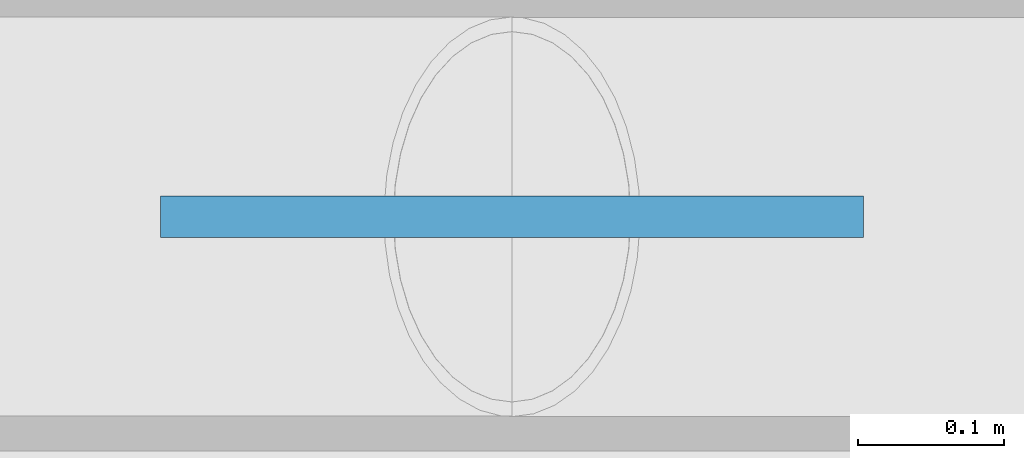
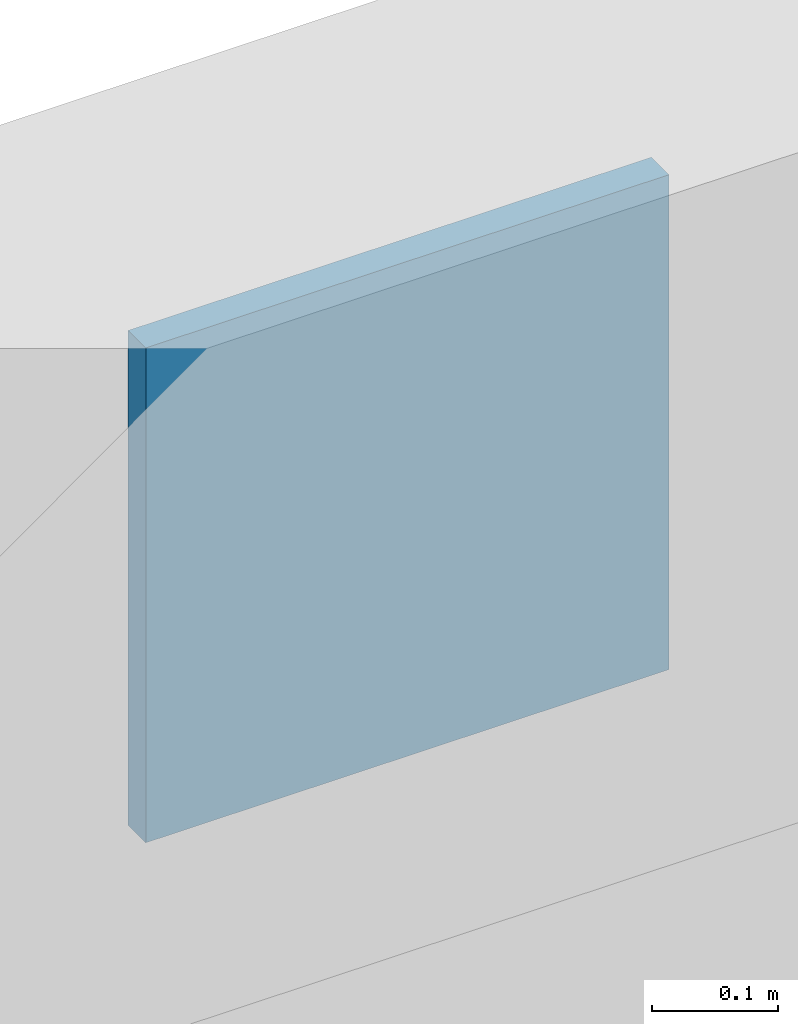
# One storey, part 13 of 27: 1 plate.
"""IFC4 building model written with IfcOpenShell, lengths in metres."""

from ifc_helpers import new_model, si_unit, direction, frame, origin, origin_2d, place, context, subcontext, project, spatial, rectangle, extrude, material, layer, layer_set, type_object, element, save


model = new_model("IFC4")

# Units and contexts
model_context = context("Model", 3, precision=1e-05, world=origin(), true_north=direction((0.0, 1.0)))
body_context = subcontext(model_context, "Body", "Model", "MODEL_VIEW")
ifc_project = project(units=[si_unit("LENGTHUNIT", "METRE"), si_unit("AREAUNIT", "SQUARE_METRE"), si_unit("VOLUMEUNIT", "CUBIC_METRE"), si_unit("PLANEANGLEUNIT", "RADIAN"), si_unit("MASSUNIT", "GRAM", prefix="KILO")], contexts=[model_context])

# Site, building, storey
site_placement = place(None, origin())
site = spatial("IfcSite", under=ifc_project, at=site_placement, CompositionType="ELEMENT")
building_placement = place(site_placement, origin())
building = spatial("IfcBuilding", under=site, at=building_placement, Name="Chengyuan Square Courthouse", CompositionType="ELEMENT")
storey_placement = place(building_placement, frame((0.0, 0.0, 39.300048828125)))
storey = spatial("IfcBuildingStorey", under=building, at=storey_placement, Name="L09", CompositionType="ELEMENT", Elevation=39.300048828125)

# Plate
ifc_material = material(Name="Steel Q355B", Category="steel")
ifc_layer = layer(ifc_material, 0.028076171875)
ifc_layer_set = layer_set([ifc_layer], Name="Steel Q355B")
plate_type = type_object("IfcPlateType", Name="GP-02", PredefinedType="SHEET", material=ifc_layer_set)
plate_placement = place(storey_placement, frame((105.0, 115.199951171875, 3.35986328125), z_axis=(0.0, 0.0, 1.0), x_axis=(1.0, 0.0, 0.0)))
element("IfcPlate", 1, at=plate_placement, inside=storey, type_object=plate_type, Name="Brace Gusset Plate GP-L09-12", PredefinedType="SHEET", context=body_context, shape_type="SweptSolid", body=[
    extrude(rectangle(XDim=0.47998046875, YDim=0.028076171875, at=origin_2d()), origin(), (0.0, 0.0, 1.0), 0.47998046875),
])

save(model, "model.ifc")
